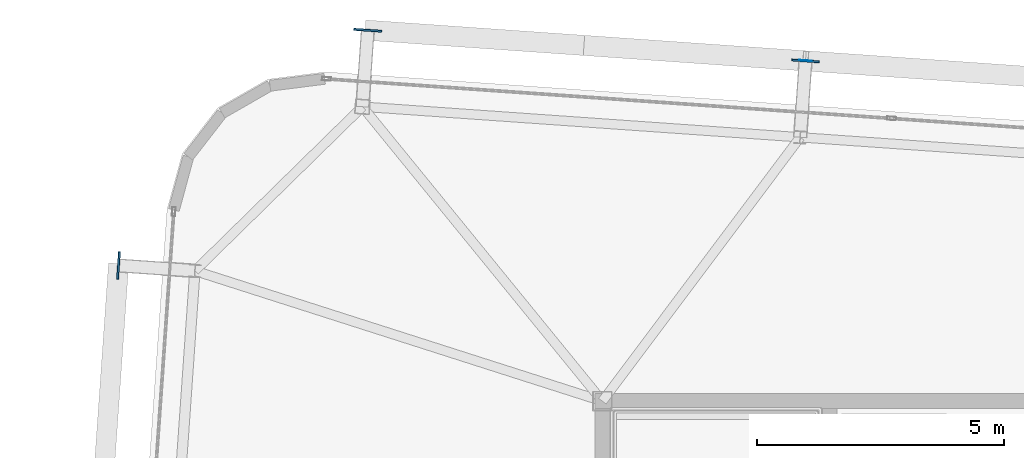
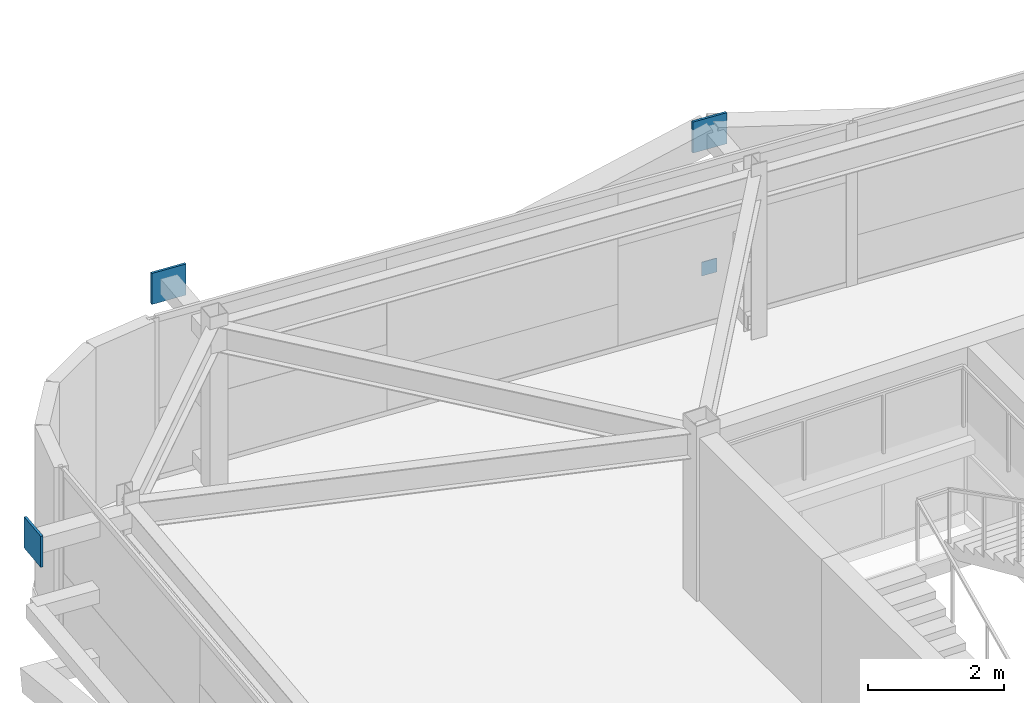
# One storey, part 32 of 39: 4 plates.
"""IFC4 building model written with IfcOpenShell, lengths in metres."""

from ifc_helpers import new_model, si_unit, direction, frame, origin, origin_2d, place, context, subcontext, project, spatial, rectangle, extrude, source, transform, mapped, material, layer, layer_set, type_object, element, save


model = new_model("IFC4")

# Units and contexts
model_context = context("Model", 3, precision=1e-05, world=origin(), true_north=direction((0.0, 1.0)))
body_context = subcontext(model_context, "Body", "Model", "MODEL_VIEW")
ifc_project = project(units=[si_unit("LENGTHUNIT", "METRE"), si_unit("AREAUNIT", "SQUARE_METRE"), si_unit("VOLUMEUNIT", "CUBIC_METRE"), si_unit("PLANEANGLEUNIT", "RADIAN"), si_unit("MASSUNIT", "GRAM", prefix="KILO")], contexts=[model_context])

# Site, building, storey
site_placement = place(None, origin())
site = spatial("IfcSite", under=ifc_project, at=site_placement, CompositionType="ELEMENT")
building_placement = place(site_placement, origin())
building = spatial("IfcBuilding", under=site, at=building_placement, Name="Taldren Reach Tower", CompositionType="ELEMENT")
storey_placement = place(building_placement, frame((0.0, 0.0, 151.89990234375)))
storey = spatial("IfcBuildingStorey", under=building, at=storey_placement, Name="L46", CompositionType="ELEMENT", Elevation=151.89990234375)

# Plates
ifc_material_1 = material(Name="Steel Gr 450 (C450L0)", Category="steel")
ifc_layer_1 = layer(ifc_material_1, 0.0400390625)
ifc_layer_set_1 = layer_set([ifc_layer_1], Name="Steel Gr 450 (C450L0)")
plate_type_1 = type_object("IfcPlateType", Name="PL-GUSSET-40", PredefinedType="SHEET", material=ifc_layer_set_1)
shared_shape_1 = source(origin(), body_context, "Body", "SweptSolid", [
    extrude(rectangle(XDim=0.56005859375, YDim=0.0400390625, at=origin_2d()), origin(), (0.0, 0.0, 1.0), 0.56005859375),
])
for number, where, z_axis, x_axis, name in (
    (1, (14.252685546875, 39.5048828125, 2.3701171875), (0.0, 0.0, 1.0), (0.99756405026, -0.069756473744, 0.0), "Exoskeleton star-node gusset plate B3-N1 L46"),
    (2, (23.111083984375, 38.885498046875, 2.3701171875), (0.0, 0.0, 1.0), (0.99756405026, -0.069756473744, 0.0), "Exoskeleton star-node gusset plate B3-N2 L46"),
    (3, (9.20849609375, 34.745361328125, 2.3701171875), (0.0, 0.0, 1.0), (0.069756473744, 0.99756405026, 0.0), "Exoskeleton star-node gusset plate B3-W3 L46"),
):
    element("IfcPlate", number, at=place(storey_placement, frame(where, z_axis=z_axis, x_axis=x_axis)), inside=storey, type_object=plate_type_1, Name=name, PredefinedType="SHEET", context=body_context, shape_type="MappedRepresentation", body=[
        mapped(shared_shape_1, transform((0.0, 0.0, 0.0), scale=1.0)),
    ])
ifc_material_2 = material(Name="Steel Gr 350 (C350L0)", Category="steel")
ifc_layer_2 = layer(ifc_material_2, 0.011962890625)
ifc_layer_set_2 = layer_set([ifc_layer_2], Name="Steel Gr 350 (C350L0)")
plate_type_2 = type_object("IfcPlateType", Name="PL-CAP-250", PredefinedType="SHEET", material=ifc_layer_set_2)
shared_shape_2 = source(origin(), body_context, "Body", "SweptSolid", [
    extrude(rectangle(XDim=0.25, YDim=0.011962890625, at=origin_2d()), origin(), (0.0, 0.0, 1.0), 0.25),
])
plate_placement = place(storey_placement, frame((23.111572265625, 38.8916015625, 0.09521484375), z_axis=(0.0, 0.0, 1.0), x_axis=(0.99756405026, -0.069756473744, 0.0)))
element("IfcPlate", 4, at=plate_placement, inside=storey, type_object=plate_type_2, Name="Tie strut end cap plate B3-N2 L46", PredefinedType="SHEET", context=body_context, shape_type="MappedRepresentation", body=[
    mapped(shared_shape_2, transform((0.0, 0.0, 0.0), scale=1.0)),
])

save(model, "model.ifc")
